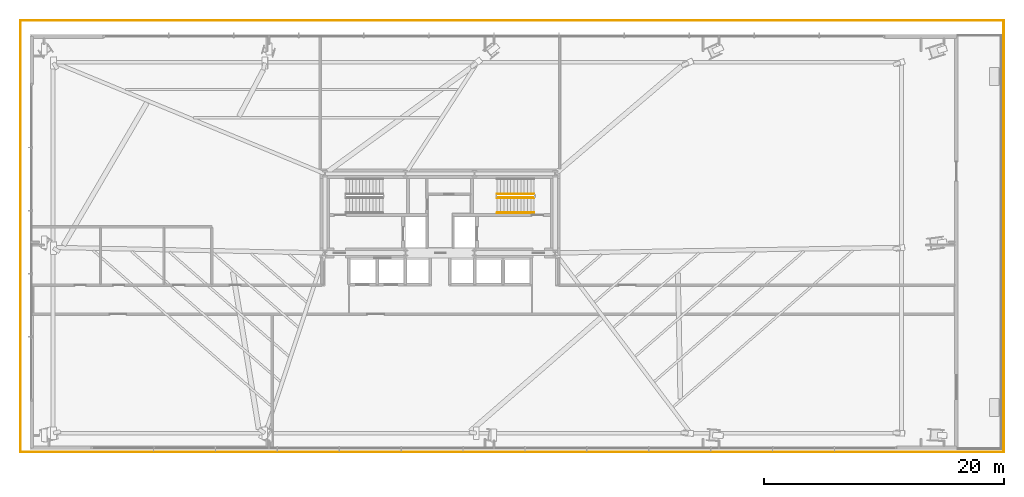
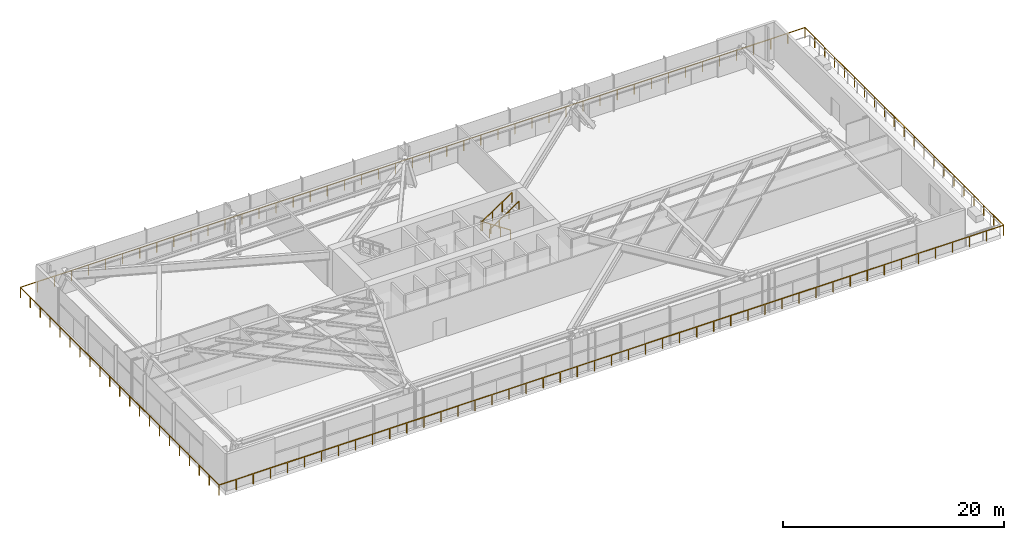
# One storey, part 33 of 36: 5 railings.
"""IFC4 building model written with IfcOpenShell, lengths in metres."""

from ifc_helpers import new_model, si_unit, direction, frame, origin, origin_2d, place, context, subcontext, project, spatial, rectangle, extrude, source, transform, mapped, material, type_object, type_shapes, element, save


model = new_model("IFC4")

# Units and contexts
model_context = context("Model", 3, precision=1e-05, world=origin(), true_north=direction((0.0, 1.0)))
body_context = subcontext(model_context, "Body", "Model", "MODEL_VIEW")
ifc_project = project(units=[si_unit("LENGTHUNIT", "METRE"), si_unit("AREAUNIT", "SQUARE_METRE"), si_unit("VOLUMEUNIT", "CUBIC_METRE"), si_unit("PLANEANGLEUNIT", "RADIAN"), si_unit("MASSUNIT", "GRAM", prefix="KILO")], contexts=[model_context])

# Site, building, storey
site_placement = place(None, origin())
site = spatial("IfcSite", under=ifc_project, at=site_placement, CompositionType="ELEMENT")
building_placement = place(site_placement, origin())
building = spatial("IfcBuilding", under=site, at=building_placement, Name="Astriad Promenade Condominiums", CompositionType="ELEMENT")
storey_placement = place(building_placement, frame((0.0, 0.0, 5.0)))
storey = spatial("IfcBuildingStorey", under=building, at=storey_placement, Name="L01", CompositionType="ELEMENT", Elevation=5.0)

# Railings
ifc_material_1 = material(Name="Anodised Aluminium and Glass Terrace Guardrail", Category="aluminium")
railing_type_1 = type_object("IfcRailingType", Name="GRD-TERR-1150", PredefinedType="GUARDRAIL", material=ifc_material_1)
shared_shape_1 = source(origin(), body_context, "Body", "SweptSolid", [
    extrude(rectangle(XDim=0.048095703125, YDim=0.048095703125, at=origin_2d()), frame((0.0, 0.0, 1.1259765625), z_axis=(0.0, -1.0, 0.0), x_axis=(1.0, 0.0, 0.0)), (0.0, 0.0, 1.0), 36.0),
    extrude(rectangle(XDim=0.048095703125, YDim=0.048095703125, at=origin_2d()), frame((0.0, -36.0, 1.1259765625), z_axis=(-1.0, 0.0, 0.0), x_axis=(0.0, -1.0, 0.0)), (0.0, 0.0, 1.0), 82.0),
    extrude(rectangle(XDim=0.0419921875, YDim=0.0419921875, at=origin_2d()), origin(), (0.0, 0.0, 1.0), 1.101806640625),
    extrude(rectangle(XDim=0.0419921875, YDim=0.0419921875, at=origin_2d()), frame((0.0, -1.800048828125, 0.0)), (0.0, 0.0, 1.0), 1.101806640625),
    extrude(rectangle(XDim=0.0419921875, YDim=0.0419921875, at=origin_2d()), frame((0.0, -3.60009765625, 0.0)), (0.0, 0.0, 1.0), 1.101806640625),
    extrude(rectangle(XDim=0.0419921875, YDim=0.0419921875, at=origin_2d()), frame((0.0, -5.39990234375, 0.0)), (0.0, 0.0, 1.0), 1.101806640625),
    extrude(rectangle(XDim=0.0419921875, YDim=0.0419921875, at=origin_2d()), frame((0.0, -7.199951171875, 0.0)), (0.0, 0.0, 1.0), 1.101806640625),
    extrude(rectangle(XDim=0.0419921875, YDim=0.0419921875, at=origin_2d()), frame((0.0, -9.0, 0.0)), (0.0, 0.0, 1.0), 1.101806640625),
    extrude(rectangle(XDim=0.0419921875, YDim=0.0419921875, at=origin_2d()), frame((0.0, -10.800048828125, 0.0)), (0.0, 0.0, 1.0), 1.101806640625),
    extrude(rectangle(XDim=0.0419921875, YDim=0.0419921875, at=origin_2d()), frame((0.0, -12.60009765625, 0.0)), (0.0, 0.0, 1.0), 1.101806640625),
    extrude(rectangle(XDim=0.0419921875, YDim=0.0419921875, at=origin_2d()), frame((0.0, -14.39990234375, 0.0)), (0.0, 0.0, 1.0), 1.101806640625),
    extrude(rectangle(XDim=0.0419921875, YDim=0.0419921875, at=origin_2d()), frame((0.0, -16.199951171875, 0.0)), (0.0, 0.0, 1.0), 1.101806640625),
    extrude(rectangle(XDim=0.0419921875, YDim=0.0419921875, at=origin_2d()), frame((0.0, -18.0, 0.0)), (0.0, 0.0, 1.0), 1.101806640625),
    extrude(rectangle(XDim=0.0419921875, YDim=0.0419921875, at=origin_2d()), frame((0.0, -19.800048828125, 0.0)), (0.0, 0.0, 1.0), 1.101806640625),
    extrude(rectangle(XDim=0.0419921875, YDim=0.0419921875, at=origin_2d()), frame((0.0, -21.60009765625, 0.0)), (0.0, 0.0, 1.0), 1.101806640625),
    extrude(rectangle(XDim=0.0419921875, YDim=0.0419921875, at=origin_2d()), frame((0.0, -23.39990234375, 0.0)), (0.0, 0.0, 1.0), 1.101806640625),
    extrude(rectangle(XDim=0.0419921875, YDim=0.0419921875, at=origin_2d()), frame((0.0, -25.199951171875, 0.0)), (0.0, 0.0, 1.0), 1.101806640625),
    extrude(rectangle(XDim=0.0419921875, YDim=0.0419921875, at=origin_2d()), frame((0.0, -27.0, 0.0)), (0.0, 0.0, 1.0), 1.101806640625),
    extrude(rectangle(XDim=0.0419921875, YDim=0.0419921875, at=origin_2d()), frame((0.0, -28.800048828125, 0.0)), (0.0, 0.0, 1.0), 1.101806640625),
    extrude(rectangle(XDim=0.0419921875, YDim=0.0419921875, at=origin_2d()), frame((0.0, -30.60009765625, 0.0)), (0.0, 0.0, 1.0), 1.101806640625),
    extrude(rectangle(XDim=0.0419921875, YDim=0.0419921875, at=origin_2d()), frame((0.0, -32.39990234375, 0.0)), (0.0, 0.0, 1.0), 1.101806640625),
    extrude(rectangle(XDim=0.0419921875, YDim=0.0419921875, at=origin_2d()), frame((0.0, -34.199951171875, 0.0)), (0.0, 0.0, 1.0), 1.101806640625),
    extrude(rectangle(XDim=0.0419921875, YDim=0.0419921875, at=origin_2d()), frame((0.0, -36.0, 0.0)), (0.0, 0.0, 1.0), 1.101806640625),
    extrude(rectangle(XDim=0.0419921875, YDim=0.0419921875, at=origin_2d()), frame((-1.78271484375, -36.0, 0.0)), (0.0, 0.0, 1.0), 1.101806640625),
    extrude(rectangle(XDim=0.0419921875, YDim=0.0419921875, at=origin_2d()), frame((-3.565185546875, -36.0, 0.0)), (0.0, 0.0, 1.0), 1.101806640625),
    extrude(rectangle(XDim=0.0419921875, YDim=0.0419921875, at=origin_2d()), frame((-5.347900390625, -36.0, 0.0)), (0.0, 0.0, 1.0), 1.101806640625),
    extrude(rectangle(XDim=0.0419921875, YDim=0.0419921875, at=origin_2d()), frame((-7.13037109375, -36.0, 0.0)), (0.0, 0.0, 1.0), 1.101806640625),
    extrude(rectangle(XDim=0.0419921875, YDim=0.0419921875, at=origin_2d()), frame((-8.9130859375, -36.0, 0.0)), (0.0, 0.0, 1.0), 1.101806640625),
    extrude(rectangle(XDim=0.0419921875, YDim=0.0419921875, at=origin_2d()), frame((-10.695556640625, -36.0, 0.0)), (0.0, 0.0, 1.0), 1.101806640625),
    extrude(rectangle(XDim=0.0419921875, YDim=0.0419921875, at=origin_2d()), frame((-12.478271484375, -36.0, 0.0)), (0.0, 0.0, 1.0), 1.101806640625),
    extrude(rectangle(XDim=0.0419921875, YDim=0.0419921875, at=origin_2d()), frame((-14.260986328125, -36.0, 0.0)), (0.0, 0.0, 1.0), 1.101806640625),
    extrude(rectangle(XDim=0.0419921875, YDim=0.0419921875, at=origin_2d()), frame((-16.04345703125, -36.0, 0.0)), (0.0, 0.0, 1.0), 1.101806640625),
    extrude(rectangle(XDim=0.0419921875, YDim=0.0419921875, at=origin_2d()), frame((-17.826171875, -36.0, 0.0)), (0.0, 0.0, 1.0), 1.101806640625),
    extrude(rectangle(XDim=0.0419921875, YDim=0.0419921875, at=origin_2d()), frame((-19.608642578125, -36.0, 0.0)), (0.0, 0.0, 1.0), 1.101806640625),
    extrude(rectangle(XDim=0.0419921875, YDim=0.0419921875, at=origin_2d()), frame((-21.391357421875, -36.0, 0.0)), (0.0, 0.0, 1.0), 1.101806640625),
    extrude(rectangle(XDim=0.0419921875, YDim=0.0419921875, at=origin_2d()), frame((-23.173828125, -36.0, 0.0)), (0.0, 0.0, 1.0), 1.101806640625),
    extrude(rectangle(XDim=0.0419921875, YDim=0.0419921875, at=origin_2d()), frame((-24.95654296875, -36.0, 0.0)), (0.0, 0.0, 1.0), 1.101806640625),
    extrude(rectangle(XDim=0.0419921875, YDim=0.0419921875, at=origin_2d()), frame((-26.739013671875, -36.0, 0.0)), (0.0, 0.0, 1.0), 1.101806640625),
    extrude(rectangle(XDim=0.0419921875, YDim=0.0419921875, at=origin_2d()), frame((-28.521728515625, -36.0, 0.0)), (0.0, 0.0, 1.0), 1.101806640625),
    extrude(rectangle(XDim=0.0419921875, YDim=0.0419921875, at=origin_2d()), frame((-30.304443359375, -36.0, 0.0)), (0.0, 0.0, 1.0), 1.101806640625),
    extrude(rectangle(XDim=0.0419921875, YDim=0.0419921875, at=origin_2d()), frame((-32.0869140625, -36.0, 0.0)), (0.0, 0.0, 1.0), 1.101806640625),
    extrude(rectangle(XDim=0.0419921875, YDim=0.0419921875, at=origin_2d()), frame((-33.86962890625, -36.0, 0.0)), (0.0, 0.0, 1.0), 1.101806640625),
    extrude(rectangle(XDim=0.0419921875, YDim=0.0419921875, at=origin_2d()), frame((-35.652099609375, -36.0, 0.0)), (0.0, 0.0, 1.0), 1.101806640625),
    extrude(rectangle(XDim=0.0419921875, YDim=0.0419921875, at=origin_2d()), frame((-37.434814453125, -36.0, 0.0)), (0.0, 0.0, 1.0), 1.101806640625),
    extrude(rectangle(XDim=0.0419921875, YDim=0.0419921875, at=origin_2d()), frame((-39.21728515625, -36.0, 0.0)), (0.0, 0.0, 1.0), 1.101806640625),
    extrude(rectangle(XDim=0.0419921875, YDim=0.0419921875, at=origin_2d()), frame((-41.0, -36.0, 0.0)), (0.0, 0.0, 1.0), 1.101806640625),
    extrude(rectangle(XDim=0.0419921875, YDim=0.0419921875, at=origin_2d()), frame((-42.78271484375, -36.0, 0.0)), (0.0, 0.0, 1.0), 1.101806640625),
    extrude(rectangle(XDim=0.0419921875, YDim=0.0419921875, at=origin_2d()), frame((-44.565185546875, -36.0, 0.0)), (0.0, 0.0, 1.0), 1.101806640625),
    extrude(rectangle(XDim=0.0419921875, YDim=0.0419921875, at=origin_2d()), frame((-46.347900390625, -36.0, 0.0)), (0.0, 0.0, 1.0), 1.101806640625),
    extrude(rectangle(XDim=0.0419921875, YDim=0.0419921875, at=origin_2d()), frame((-48.13037109375, -36.0, 0.0)), (0.0, 0.0, 1.0), 1.101806640625),
    extrude(rectangle(XDim=0.0419921875, YDim=0.0419921875, at=origin_2d()), frame((-49.9130859375, -36.0, 0.0)), (0.0, 0.0, 1.0), 1.101806640625),
    extrude(rectangle(XDim=0.0419921875, YDim=0.0419921875, at=origin_2d()), frame((-51.695556640625, -36.0, 0.0)), (0.0, 0.0, 1.0), 1.101806640625),
    extrude(rectangle(XDim=0.0419921875, YDim=0.0419921875, at=origin_2d()), frame((-53.478271484375, -36.0, 0.0)), (0.0, 0.0, 1.0), 1.101806640625),
    extrude(rectangle(XDim=0.0419921875, YDim=0.0419921875, at=origin_2d()), frame((-55.260986328125, -36.0, 0.0)), (0.0, 0.0, 1.0), 1.101806640625),
    extrude(rectangle(XDim=0.0419921875, YDim=0.0419921875, at=origin_2d()), frame((-57.04345703125, -36.0, 0.0)), (0.0, 0.0, 1.0), 1.101806640625),
    extrude(rectangle(XDim=0.0419921875, YDim=0.0419921875, at=origin_2d()), frame((-58.826171875, -36.0, 0.0)), (0.0, 0.0, 1.0), 1.101806640625),
    extrude(rectangle(XDim=0.0419921875, YDim=0.0419921875, at=origin_2d()), frame((-60.608642578125, -36.0, 0.0)), (0.0, 0.0, 1.0), 1.101806640625),
    extrude(rectangle(XDim=0.0419921875, YDim=0.0419921875, at=origin_2d()), frame((-62.391357421875, -36.0, 0.0)), (0.0, 0.0, 1.0), 1.101806640625),
    extrude(rectangle(XDim=0.0419921875, YDim=0.0419921875, at=origin_2d()), frame((-64.173828125, -36.0, 0.0)), (0.0, 0.0, 1.0), 1.101806640625),
    extrude(rectangle(XDim=0.0419921875, YDim=0.0419921875, at=origin_2d()), frame((-65.95654296875, -36.0, 0.0)), (0.0, 0.0, 1.0), 1.101806640625),
    extrude(rectangle(XDim=0.0419921875, YDim=0.0419921875, at=origin_2d()), frame((-67.739013671875, -36.0, 0.0)), (0.0, 0.0, 1.0), 1.101806640625),
    extrude(rectangle(XDim=0.0419921875, YDim=0.0419921875, at=origin_2d()), frame((-69.521728515625, -36.0, 0.0)), (0.0, 0.0, 1.0), 1.101806640625),
    extrude(rectangle(XDim=0.0419921875, YDim=0.0419921875, at=origin_2d()), frame((-71.304443359375, -36.0, 0.0)), (0.0, 0.0, 1.0), 1.101806640625),
    extrude(rectangle(XDim=0.0419921875, YDim=0.0419921875, at=origin_2d()), frame((-73.0869140625, -36.0, 0.0)), (0.0, 0.0, 1.0), 1.101806640625),
    extrude(rectangle(XDim=0.0419921875, YDim=0.0419921875, at=origin_2d()), frame((-74.86962890625, -36.0, 0.0)), (0.0, 0.0, 1.0), 1.101806640625),
    extrude(rectangle(XDim=0.0419921875, YDim=0.0419921875, at=origin_2d()), frame((-76.652099609375, -36.0, 0.0)), (0.0, 0.0, 1.0), 1.101806640625),
    extrude(rectangle(XDim=0.0419921875, YDim=0.0419921875, at=origin_2d()), frame((-78.434814453125, -36.0, 0.0)), (0.0, 0.0, 1.0), 1.101806640625),
    extrude(rectangle(XDim=0.0419921875, YDim=0.0419921875, at=origin_2d()), frame((-80.21728515625, -36.0, 0.0)), (0.0, 0.0, 1.0), 1.101806640625),
    extrude(rectangle(XDim=0.0419921875, YDim=0.0419921875, at=origin_2d()), frame((-82.0, -36.0, 0.0)), (0.0, 0.0, 1.0), 1.101806640625),
])
railing_1_placement = place(storey_placement, frame((83.0, 36.800048828125, 0.0)))
element("IfcRailing", 1, at=railing_1_placement, inside=storey, type_object=railing_type_1, Name="GRD-PSTEP-L01-01", PredefinedType="GUARDRAIL", context=body_context, shape_type="MappedRepresentation", body=[
    mapped(shared_shape_1, transform((0.0, 0.0, 0.0), scale=1.0)),
])
shared_shape_2 = source(origin(), body_context, "Body", "SweptSolid", [
    extrude(rectangle(XDim=0.048095703125, YDim=0.048095703125, at=origin_2d()), frame((0.0, 0.0, 1.1259765625), z_axis=(0.0, 1.0, 0.0), x_axis=(-1.0, 0.0, 0.0)), (0.0, 0.0, 1.0), 36.0),
    extrude(rectangle(XDim=0.048095703125, YDim=0.048095703125, at=origin_2d()), frame((0.0, 36.0, 1.1259765625), z_axis=(1.0, 0.0, 0.0), x_axis=(0.0, 1.0, 0.0)), (0.0, 0.0, 1.0), 82.0),
    extrude(rectangle(XDim=0.0419921875, YDim=0.0419921875, at=origin_2d()), origin(), (0.0, 0.0, 1.0), 1.101806640625),
    extrude(rectangle(XDim=0.0419921875, YDim=0.0419921875, at=origin_2d()), frame((0.0, 1.800048828125, 0.0)), (0.0, 0.0, 1.0), 1.101806640625),
    extrude(rectangle(XDim=0.0419921875, YDim=0.0419921875, at=origin_2d()), frame((0.0, 3.60009765625, 0.0)), (0.0, 0.0, 1.0), 1.101806640625),
    extrude(rectangle(XDim=0.0419921875, YDim=0.0419921875, at=origin_2d()), frame((0.0, 5.39990234375, 0.0)), (0.0, 0.0, 1.0), 1.101806640625),
    extrude(rectangle(XDim=0.0419921875, YDim=0.0419921875, at=origin_2d()), frame((0.0, 7.199951171875, 0.0)), (0.0, 0.0, 1.0), 1.101806640625),
    extrude(rectangle(XDim=0.0419921875, YDim=0.0419921875, at=origin_2d()), frame((0.0, 9.0, 0.0)), (0.0, 0.0, 1.0), 1.101806640625),
    extrude(rectangle(XDim=0.0419921875, YDim=0.0419921875, at=origin_2d()), frame((0.0, 10.800048828125, 0.0)), (0.0, 0.0, 1.0), 1.101806640625),
    extrude(rectangle(XDim=0.0419921875, YDim=0.0419921875, at=origin_2d()), frame((0.0, 12.60009765625, 0.0)), (0.0, 0.0, 1.0), 1.101806640625),
    extrude(rectangle(XDim=0.0419921875, YDim=0.0419921875, at=origin_2d()), frame((0.0, 14.39990234375, 0.0)), (0.0, 0.0, 1.0), 1.101806640625),
    extrude(rectangle(XDim=0.0419921875, YDim=0.0419921875, at=origin_2d()), frame((0.0, 16.199951171875, 0.0)), (0.0, 0.0, 1.0), 1.101806640625),
    extrude(rectangle(XDim=0.0419921875, YDim=0.0419921875, at=origin_2d()), frame((0.0, 18.0, 0.0)), (0.0, 0.0, 1.0), 1.101806640625),
    extrude(rectangle(XDim=0.0419921875, YDim=0.0419921875, at=origin_2d()), frame((0.0, 19.800048828125, 0.0)), (0.0, 0.0, 1.0), 1.101806640625),
    extrude(rectangle(XDim=0.0419921875, YDim=0.0419921875, at=origin_2d()), frame((0.0, 21.60009765625, 0.0)), (0.0, 0.0, 1.0), 1.101806640625),
    extrude(rectangle(XDim=0.0419921875, YDim=0.0419921875, at=origin_2d()), frame((0.0, 23.39990234375, 0.0)), (0.0, 0.0, 1.0), 1.101806640625),
    extrude(rectangle(XDim=0.0419921875, YDim=0.0419921875, at=origin_2d()), frame((0.0, 25.199951171875, 0.0)), (0.0, 0.0, 1.0), 1.101806640625),
    extrude(rectangle(XDim=0.0419921875, YDim=0.0419921875, at=origin_2d()), frame((0.0, 27.0, 0.0)), (0.0, 0.0, 1.0), 1.101806640625),
    extrude(rectangle(XDim=0.0419921875, YDim=0.0419921875, at=origin_2d()), frame((0.0, 28.800048828125, 0.0)), (0.0, 0.0, 1.0), 1.101806640625),
    extrude(rectangle(XDim=0.0419921875, YDim=0.0419921875, at=origin_2d()), frame((0.0, 30.60009765625, 0.0)), (0.0, 0.0, 1.0), 1.101806640625),
    extrude(rectangle(XDim=0.0419921875, YDim=0.0419921875, at=origin_2d()), frame((0.0, 32.39990234375, 0.0)), (0.0, 0.0, 1.0), 1.101806640625),
    extrude(rectangle(XDim=0.0419921875, YDim=0.0419921875, at=origin_2d()), frame((0.0, 34.199951171875, 0.0)), (0.0, 0.0, 1.0), 1.101806640625),
    extrude(rectangle(XDim=0.0419921875, YDim=0.0419921875, at=origin_2d()), frame((0.0, 36.0, 0.0)), (0.0, 0.0, 1.0), 1.101806640625),
    extrude(rectangle(XDim=0.0419921875, YDim=0.0419921875, at=origin_2d()), frame((1.78271484375, 36.0, 0.0)), (0.0, 0.0, 1.0), 1.101806640625),
    extrude(rectangle(XDim=0.0419921875, YDim=0.0419921875, at=origin_2d()), frame((3.565185546875, 36.0, 0.0)), (0.0, 0.0, 1.0), 1.101806640625),
    extrude(rectangle(XDim=0.0419921875, YDim=0.0419921875, at=origin_2d()), frame((5.347900390625, 36.0, 0.0)), (0.0, 0.0, 1.0), 1.101806640625),
    extrude(rectangle(XDim=0.0419921875, YDim=0.0419921875, at=origin_2d()), frame((7.13037109375, 36.0, 0.0)), (0.0, 0.0, 1.0), 1.101806640625),
    extrude(rectangle(XDim=0.0419921875, YDim=0.0419921875, at=origin_2d()), frame((8.9130859375, 36.0, 0.0)), (0.0, 0.0, 1.0), 1.101806640625),
    extrude(rectangle(XDim=0.0419921875, YDim=0.0419921875, at=origin_2d()), frame((10.695556640625, 36.0, 0.0)), (0.0, 0.0, 1.0), 1.101806640625),
    extrude(rectangle(XDim=0.0419921875, YDim=0.0419921875, at=origin_2d()), frame((12.478271484375, 36.0, 0.0)), (0.0, 0.0, 1.0), 1.101806640625),
    extrude(rectangle(XDim=0.0419921875, YDim=0.0419921875, at=origin_2d()), frame((14.260986328125, 36.0, 0.0)), (0.0, 0.0, 1.0), 1.101806640625),
    extrude(rectangle(XDim=0.0419921875, YDim=0.0419921875, at=origin_2d()), frame((16.04345703125, 36.0, 0.0)), (0.0, 0.0, 1.0), 1.101806640625),
    extrude(rectangle(XDim=0.0419921875, YDim=0.0419921875, at=origin_2d()), frame((17.826171875, 36.0, 0.0)), (0.0, 0.0, 1.0), 1.101806640625),
    extrude(rectangle(XDim=0.0419921875, YDim=0.0419921875, at=origin_2d()), frame((19.608642578125, 36.0, 0.0)), (0.0, 0.0, 1.0), 1.101806640625),
    extrude(rectangle(XDim=0.0419921875, YDim=0.0419921875, at=origin_2d()), frame((21.391357421875, 36.0, 0.0)), (0.0, 0.0, 1.0), 1.101806640625),
    extrude(rectangle(XDim=0.0419921875, YDim=0.0419921875, at=origin_2d()), frame((23.173828125, 36.0, 0.0)), (0.0, 0.0, 1.0), 1.101806640625),
    extrude(rectangle(XDim=0.0419921875, YDim=0.0419921875, at=origin_2d()), frame((24.95654296875, 36.0, 0.0)), (0.0, 0.0, 1.0), 1.101806640625),
    extrude(rectangle(XDim=0.0419921875, YDim=0.0419921875, at=origin_2d()), frame((26.739013671875, 36.0, 0.0)), (0.0, 0.0, 1.0), 1.101806640625),
    extrude(rectangle(XDim=0.0419921875, YDim=0.0419921875, at=origin_2d()), frame((28.521728515625, 36.0, 0.0)), (0.0, 0.0, 1.0), 1.101806640625),
    extrude(rectangle(XDim=0.0419921875, YDim=0.0419921875, at=origin_2d()), frame((30.304443359375, 36.0, 0.0)), (0.0, 0.0, 1.0), 1.101806640625),
    extrude(rectangle(XDim=0.0419921875, YDim=0.0419921875, at=origin_2d()), frame((32.0869140625, 36.0, 0.0)), (0.0, 0.0, 1.0), 1.101806640625),
    extrude(rectangle(XDim=0.0419921875, YDim=0.0419921875, at=origin_2d()), frame((33.86962890625, 36.0, 0.0)), (0.0, 0.0, 1.0), 1.101806640625),
    extrude(rectangle(XDim=0.0419921875, YDim=0.0419921875, at=origin_2d()), frame((35.652099609375, 36.0, 0.0)), (0.0, 0.0, 1.0), 1.101806640625),
    extrude(rectangle(XDim=0.0419921875, YDim=0.0419921875, at=origin_2d()), frame((37.434814453125, 36.0, 0.0)), (0.0, 0.0, 1.0), 1.101806640625),
    extrude(rectangle(XDim=0.0419921875, YDim=0.0419921875, at=origin_2d()), frame((39.21728515625, 36.0, 0.0)), (0.0, 0.0, 1.0), 1.101806640625),
    extrude(rectangle(XDim=0.0419921875, YDim=0.0419921875, at=origin_2d()), frame((41.0, 36.0, 0.0)), (0.0, 0.0, 1.0), 1.101806640625),
    extrude(rectangle(XDim=0.0419921875, YDim=0.0419921875, at=origin_2d()), frame((42.78271484375, 36.0, 0.0)), (0.0, 0.0, 1.0), 1.101806640625),
    extrude(rectangle(XDim=0.0419921875, YDim=0.0419921875, at=origin_2d()), frame((44.565185546875, 36.0, 0.0)), (0.0, 0.0, 1.0), 1.101806640625),
    extrude(rectangle(XDim=0.0419921875, YDim=0.0419921875, at=origin_2d()), frame((46.347900390625, 36.0, 0.0)), (0.0, 0.0, 1.0), 1.101806640625),
    extrude(rectangle(XDim=0.0419921875, YDim=0.0419921875, at=origin_2d()), frame((48.13037109375, 36.0, 0.0)), (0.0, 0.0, 1.0), 1.101806640625),
    extrude(rectangle(XDim=0.0419921875, YDim=0.0419921875, at=origin_2d()), frame((49.9130859375, 36.0, 0.0)), (0.0, 0.0, 1.0), 1.101806640625),
    extrude(rectangle(XDim=0.0419921875, YDim=0.0419921875, at=origin_2d()), frame((51.695556640625, 36.0, 0.0)), (0.0, 0.0, 1.0), 1.101806640625),
    extrude(rectangle(XDim=0.0419921875, YDim=0.0419921875, at=origin_2d()), frame((53.478271484375, 36.0, 0.0)), (0.0, 0.0, 1.0), 1.101806640625),
    extrude(rectangle(XDim=0.0419921875, YDim=0.0419921875, at=origin_2d()), frame((55.260986328125, 36.0, 0.0)), (0.0, 0.0, 1.0), 1.101806640625),
    extrude(rectangle(XDim=0.0419921875, YDim=0.0419921875, at=origin_2d()), frame((57.04345703125, 36.0, 0.0)), (0.0, 0.0, 1.0), 1.101806640625),
    extrude(rectangle(XDim=0.0419921875, YDim=0.0419921875, at=origin_2d()), frame((58.826171875, 36.0, 0.0)), (0.0, 0.0, 1.0), 1.101806640625),
    extrude(rectangle(XDim=0.0419921875, YDim=0.0419921875, at=origin_2d()), frame((60.608642578125, 36.0, 0.0)), (0.0, 0.0, 1.0), 1.101806640625),
    extrude(rectangle(XDim=0.0419921875, YDim=0.0419921875, at=origin_2d()), frame((62.391357421875, 36.0, 0.0)), (0.0, 0.0, 1.0), 1.101806640625),
    extrude(rectangle(XDim=0.0419921875, YDim=0.0419921875, at=origin_2d()), frame((64.173828125, 36.0, 0.0)), (0.0, 0.0, 1.0), 1.101806640625),
    extrude(rectangle(XDim=0.0419921875, YDim=0.0419921875, at=origin_2d()), frame((65.95654296875, 36.0, 0.0)), (0.0, 0.0, 1.0), 1.101806640625),
    extrude(rectangle(XDim=0.0419921875, YDim=0.0419921875, at=origin_2d()), frame((67.739013671875, 36.0, 0.0)), (0.0, 0.0, 1.0), 1.101806640625),
    extrude(rectangle(XDim=0.0419921875, YDim=0.0419921875, at=origin_2d()), frame((69.521728515625, 36.0, 0.0)), (0.0, 0.0, 1.0), 1.101806640625),
    extrude(rectangle(XDim=0.0419921875, YDim=0.0419921875, at=origin_2d()), frame((71.304443359375, 36.0, 0.0)), (0.0, 0.0, 1.0), 1.101806640625),
    extrude(rectangle(XDim=0.0419921875, YDim=0.0419921875, at=origin_2d()), frame((73.0869140625, 36.0, 0.0)), (0.0, 0.0, 1.0), 1.101806640625),
    extrude(rectangle(XDim=0.0419921875, YDim=0.0419921875, at=origin_2d()), frame((74.86962890625, 36.0, 0.0)), (0.0, 0.0, 1.0), 1.101806640625),
    extrude(rectangle(XDim=0.0419921875, YDim=0.0419921875, at=origin_2d()), frame((76.652099609375, 36.0, 0.0)), (0.0, 0.0, 1.0), 1.101806640625),
    extrude(rectangle(XDim=0.0419921875, YDim=0.0419921875, at=origin_2d()), frame((78.434814453125, 36.0, 0.0)), (0.0, 0.0, 1.0), 1.101806640625),
    extrude(rectangle(XDim=0.0419921875, YDim=0.0419921875, at=origin_2d()), frame((80.21728515625, 36.0, 0.0)), (0.0, 0.0, 1.0), 1.101806640625),
    extrude(rectangle(XDim=0.0419921875, YDim=0.0419921875, at=origin_2d()), frame((82.0, 36.0, 0.0)), (0.0, 0.0, 1.0), 1.101806640625),
])
type_shapes(railing_type_1, [shared_shape_1, shared_shape_2])
railing_2_placement = place(storey_placement, frame((1.0, 0.800048828125, 0.0)))
element("IfcRailing", 2, at=railing_2_placement, inside=storey, type_object=railing_type_1, Name="GRD-PSTEP-L01-02", PredefinedType="GUARDRAIL", context=body_context, shape_type="MappedRepresentation", body=[
    mapped(shared_shape_2, transform((0.0, 0.0, 0.0), scale=1.0)),
])
ifc_material_2 = material(Name="Painted Galvanised Steel Guardrail", Category="steel")
railing_type_2 = type_object("IfcRailingType", Name="GRD-STAIR-1100", PredefinedType="GUARDRAIL", material=ifc_material_2)
shared_shape_3 = source(origin(), body_context, "Body", "SweptSolid", [
    extrude(rectangle(XDim=0.048095703125, YDim=0.048095703125, at=origin_2d()), frame((0.0, 0.0, 1.076171875), z_axis=(0.830913701846, 0.0, 0.55640131208), x_axis=(0.0, 1.0, 0.0)), (0.0, 0.0, 1.0), 3.706787109375),
    extrude(rectangle(XDim=0.0419921875, YDim=0.0419921875, at=origin_2d()), origin(), (0.0, 0.0, 1.0), 1.052001953125),
    extrude(rectangle(XDim=0.0419921875, YDim=0.0419921875, at=origin_2d()), frame((1.026611328125, 0.0, 0.6875)), (0.0, 0.0, 1.0), 1.052001953125),
    extrude(rectangle(XDim=0.0419921875, YDim=0.0419921875, at=origin_2d()), frame((2.053466796875, 0.0, 1.375)), (0.0, 0.0, 1.0), 1.052001953125),
    extrude(rectangle(XDim=0.0419921875, YDim=0.0419921875, at=origin_2d()), frame((3.080078125, 0.0, 2.0625)), (0.0, 0.0, 1.0), 1.052001953125),
])
railing_3_placement = place(storey_placement, frame((40.77001953125, 22.0, 2.4375)))
element("IfcRailing", 3, at=railing_3_placement, inside=storey, type_object=railing_type_2, Name="L01 ST-2 stair guard 3", PredefinedType="GUARDRAIL", context=body_context, shape_type="MappedRepresentation", body=[
    mapped(shared_shape_3, transform((0.0, 0.0, 0.0), scale=1.0)),
])
shared_shape_4 = source(origin(), body_context, "Body", "SweptSolid", [
    extrude(rectangle(XDim=0.048095703125, YDim=0.048095703125, at=origin_2d()), frame((0.0, 0.0, 1.076171875), z_axis=(-0.830913701846, 0.0, 0.55640131208), x_axis=(0.0, -1.0, 0.0)), (0.0, 0.0, 1.0), 3.706787109375),
    extrude(rectangle(XDim=0.0419921875, YDim=0.0419921875, at=origin_2d()), origin(), (0.0, 0.0, 1.0), 1.052001953125),
    extrude(rectangle(XDim=0.0419921875, YDim=0.0419921875, at=origin_2d()), frame((-1.026611328125, 0.0, 0.6875)), (0.0, 0.0, 1.0), 1.052001953125),
    extrude(rectangle(XDim=0.0419921875, YDim=0.0419921875, at=origin_2d()), frame((-2.053466796875, 0.0, 1.375)), (0.0, 0.0, 1.0), 1.052001953125),
    extrude(rectangle(XDim=0.0419921875, YDim=0.0419921875, at=origin_2d()), frame((-3.080078125, 0.0, 2.0625)), (0.0, 0.0, 1.0), 1.052001953125),
])
type_shapes(railing_type_2, [shared_shape_3, shared_shape_4])
railing_4_placement = place(storey_placement, frame((43.85009765625, 22.300048828125, 0.1875)))
element("IfcRailing", 4, at=railing_4_placement, inside=storey, type_object=railing_type_2, Name="L01 ST-2 stair guard 1", PredefinedType="GUARDRAIL", context=body_context, shape_type="MappedRepresentation", body=[
    mapped(shared_shape_4, transform((0.0, 0.0, 0.0), scale=1.0)),
])
ifc_material_3 = material(Name="Brushed Stainless Steel Handrail", Category="steel")
railing_type_3 = type_object("IfcRailingType", Name="HRL-STAIR-920", PredefinedType="HANDRAIL", material=ifc_material_3)
shared_shape_5 = source(origin(), body_context, "Body", "SweptSolid", [
    extrude(rectangle(XDim=0.048095703125, YDim=0.048095703125, at=origin_2d()), frame((0.0, 0.0, 0.8759765625), z_axis=(0.830913701846, 0.0, 0.55640131208), x_axis=(0.0, 1.0, 0.0)), (0.0, 0.0, 1.0), 3.706787109375),
    extrude(rectangle(XDim=0.0419921875, YDim=0.0419921875, at=origin_2d()), origin(), (0.0, 0.0, 1.0), 0.851806640625),
    extrude(rectangle(XDim=0.0419921875, YDim=0.0419921875, at=origin_2d()), frame((1.026611328125, 0.0, 0.6875)), (0.0, 0.0, 1.0), 0.851806640625),
    extrude(rectangle(XDim=0.0419921875, YDim=0.0419921875, at=origin_2d()), frame((2.053466796875, 0.0, 1.375)), (0.0, 0.0, 1.0), 0.851806640625),
    extrude(rectangle(XDim=0.0419921875, YDim=0.0419921875, at=origin_2d()), frame((3.080078125, 0.0, 2.0625)), (0.0, 0.0, 1.0), 0.851806640625),
])
type_shapes(railing_type_3, [shared_shape_5])
railing_5_placement = place(storey_placement, frame((40.77001953125, 20.75, 2.4375)))
element("IfcRailing", 5, at=railing_5_placement, inside=storey, type_object=railing_type_3, Name="L01 ST-2 stair handrail 2", PredefinedType="HANDRAIL", context=body_context, shape_type="MappedRepresentation", body=[
    mapped(shared_shape_5, transform((0.0, 0.0, 0.0), scale=1.0)),
])

save(model, "model.ifc")
